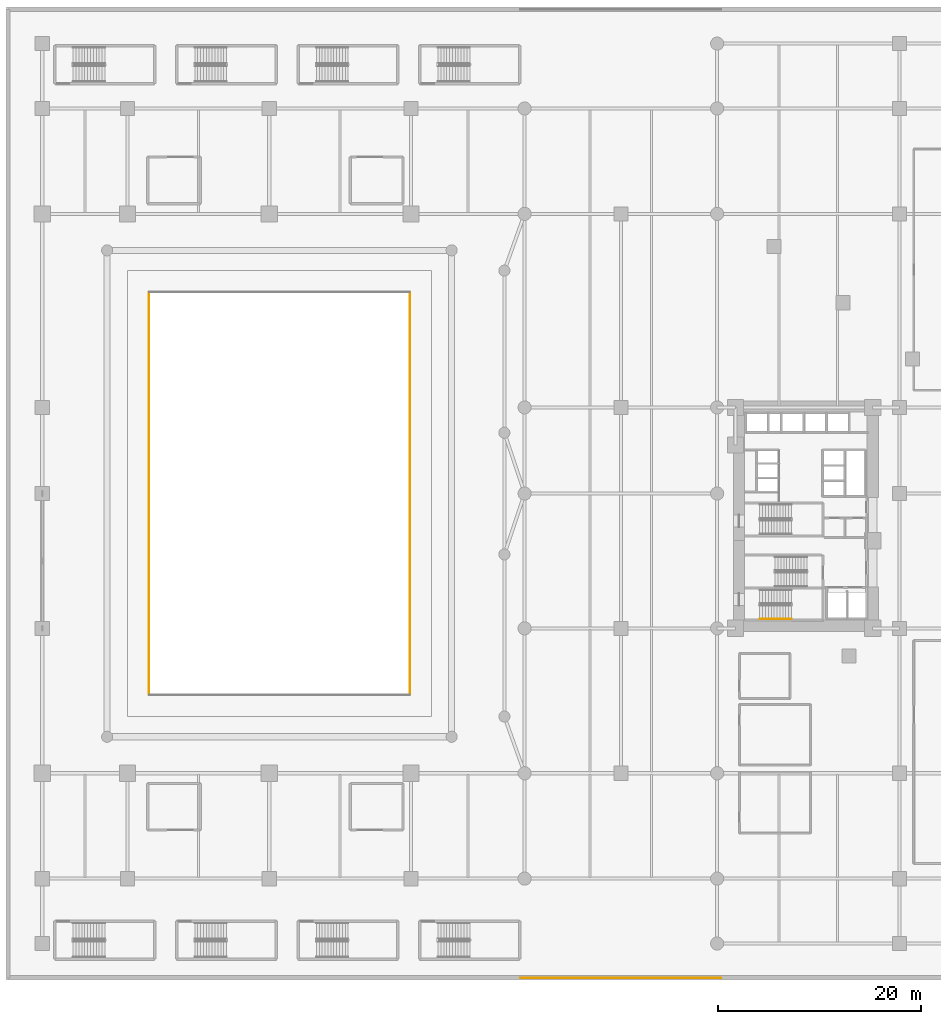
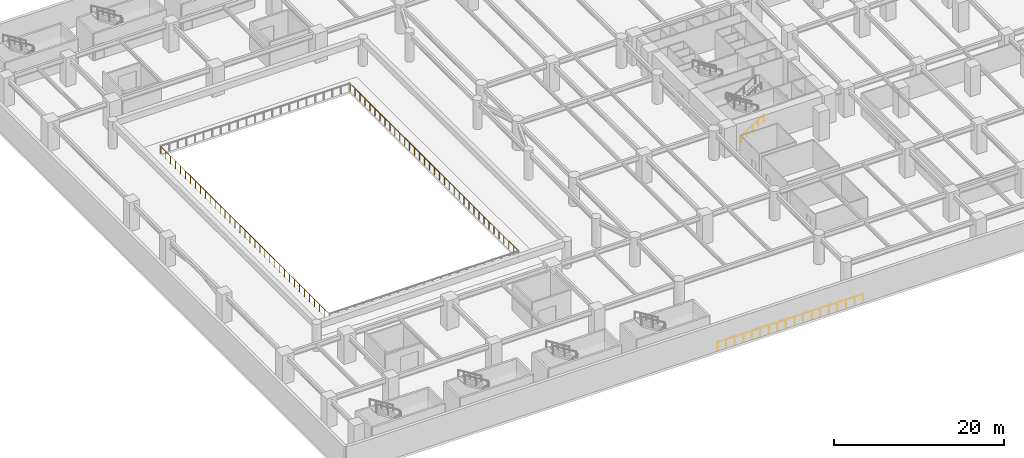
# One storey, part 21 of 25: 4 railings.
"""IFC4 building model written with IfcOpenShell, lengths in metres."""

from ifc_helpers import new_model, si_unit, direction, frame, origin, origin_2d, place, context, subcontext, project, spatial, circle, extrude, material, type_object, element, save


model = new_model("IFC4")

# Units and contexts
model_context = context("Model", 3, precision=1e-05, world=origin(), true_north=direction((0.0, 1.0)))
body_context = subcontext(model_context, "Body", "Model", "MODEL_VIEW")
ifc_project = project(units=[si_unit("LENGTHUNIT", "METRE"), si_unit("AREAUNIT", "SQUARE_METRE"), si_unit("VOLUMEUNIT", "CUBIC_METRE"), si_unit("PLANEANGLEUNIT", "RADIAN"), si_unit("MASSUNIT", "GRAM", prefix="KILO")], contexts=[model_context])

# Site, building, storey
site_placement = place(None, origin())
site = spatial("IfcSite", under=ifc_project, at=site_placement, CompositionType="ELEMENT")
building_placement = place(site_placement, origin())
building = spatial("IfcBuilding", under=site, at=building_placement, Name="Narakoshi Arena Tower", CompositionType="ELEMENT")
storey_placement = place(building_placement, frame((0.0, 0.0, 9.0)))
storey = spatial("IfcBuildingStorey", under=building, at=storey_placement, Name="L02", CompositionType="ELEMENT", Elevation=9.0)

# Railings
ifc_material_1 = material(Name="Clear low-iron laminated structural glass", Category="glass")
railing_type_1 = type_object("IfcRailingType", Name="RL-BAL-1100", PredefinedType="BALUSTRADE", material=ifc_material_1)
railing_1_placement = place(storey_placement, frame((39.8798828125, 28.159912109375, 0.0)))
element("IfcRailing", 1, at=railing_1_placement, inside=storey, type_object=railing_type_1, Name="L02 Arena Bowl Tier Balustrade 2", PredefinedType="BALUSTRADE", context=body_context, shape_type="SweptSolid", body=[
    extrude(circle(Radius=0.02392578125, at=origin_2d()), frame((0.0, 0.0, 1.09619140625), z_axis=(0.0, 1.0, 0.0), x_axis=(-1.0, 0.0, 0.0)), (0.0, 0.0, 1.0), 39.68017578125),
    extrude(circle(Radius=0.02099609375, at=origin_2d()), origin(), (0.0, 0.0, 1.0), 1.072021484375),
    extrude(circle(Radius=0.02099609375, at=origin_2d()), frame((0.0, 1.1669921875, 0.0)), (0.0, 0.0, 1.0), 1.072021484375),
    extrude(circle(Radius=0.02099609375, at=origin_2d()), frame((0.0, 2.334228515625, 0.0)), (0.0, 0.0, 1.0), 1.072021484375),
    extrude(circle(Radius=0.02099609375, at=origin_2d()), frame((0.0, 3.501220703125, 0.0)), (0.0, 0.0, 1.0), 1.072021484375),
    extrude(circle(Radius=0.02099609375, at=origin_2d()), frame((0.0, 4.668212890625, 0.0)), (0.0, 0.0, 1.0), 1.072021484375),
    extrude(circle(Radius=0.02099609375, at=origin_2d()), frame((0.0, 5.835205078125, 0.0)), (0.0, 0.0, 1.0), 1.072021484375),
    extrude(circle(Radius=0.02099609375, at=origin_2d()), frame((0.0, 7.00244140625, 0.0)), (0.0, 0.0, 1.0), 1.072021484375),
    extrude(circle(Radius=0.02099609375, at=origin_2d()), frame((0.0, 8.16943359375, 0.0)), (0.0, 0.0, 1.0), 1.072021484375),
    extrude(circle(Radius=0.02099609375, at=origin_2d()), frame((0.0, 9.33642578125, 0.0)), (0.0, 0.0, 1.0), 1.072021484375),
    extrude(circle(Radius=0.02099609375, at=origin_2d()), frame((0.0, 10.503662109375, 0.0)), (0.0, 0.0, 1.0), 1.072021484375),
    extrude(circle(Radius=0.02099609375, at=origin_2d()), frame((0.0, 11.670654296875, 0.0)), (0.0, 0.0, 1.0), 1.072021484375),
    extrude(circle(Radius=0.02099609375, at=origin_2d()), frame((0.0, 12.837646484375, 0.0)), (0.0, 0.0, 1.0), 1.072021484375),
    extrude(circle(Radius=0.02099609375, at=origin_2d()), frame((0.0, 14.0048828125, 0.0)), (0.0, 0.0, 1.0), 1.072021484375),
    extrude(circle(Radius=0.02099609375, at=origin_2d()), frame((0.0, 15.171875, 0.0)), (0.0, 0.0, 1.0), 1.072021484375),
    extrude(circle(Radius=0.02099609375, at=origin_2d()), frame((0.0, 16.3388671875, 0.0)), (0.0, 0.0, 1.0), 1.072021484375),
    extrude(circle(Radius=0.02099609375, at=origin_2d()), frame((0.0, 17.505859375, 0.0)), (0.0, 0.0, 1.0), 1.072021484375),
    extrude(circle(Radius=0.02099609375, at=origin_2d()), frame((0.0, 18.673095703125, 0.0)), (0.0, 0.0, 1.0), 1.072021484375),
    extrude(circle(Radius=0.02099609375, at=origin_2d()), frame((0.0, 19.840087890625, 0.0)), (0.0, 0.0, 1.0), 1.072021484375),
    extrude(circle(Radius=0.02099609375, at=origin_2d()), frame((0.0, 21.007080078125, 0.0)), (0.0, 0.0, 1.0), 1.072021484375),
    extrude(circle(Radius=0.02099609375, at=origin_2d()), frame((0.0, 22.17431640625, 0.0)), (0.0, 0.0, 1.0), 1.072021484375),
    extrude(circle(Radius=0.02099609375, at=origin_2d()), frame((0.0, 23.34130859375, 0.0)), (0.0, 0.0, 1.0), 1.072021484375),
    extrude(circle(Radius=0.02099609375, at=origin_2d()), frame((0.0, 24.50830078125, 0.0)), (0.0, 0.0, 1.0), 1.072021484375),
    extrude(circle(Radius=0.02099609375, at=origin_2d()), frame((0.0, 25.67529296875, 0.0)), (0.0, 0.0, 1.0), 1.072021484375),
    extrude(circle(Radius=0.02099609375, at=origin_2d()), frame((0.0, 26.842529296875, 0.0)), (0.0, 0.0, 1.0), 1.072021484375),
    extrude(circle(Radius=0.02099609375, at=origin_2d()), frame((0.0, 28.009521484375, 0.0)), (0.0, 0.0, 1.0), 1.072021484375),
    extrude(circle(Radius=0.02099609375, at=origin_2d()), frame((0.0, 29.176513671875, 0.0)), (0.0, 0.0, 1.0), 1.072021484375),
    extrude(circle(Radius=0.02099609375, at=origin_2d()), frame((0.0, 30.34375, 0.0)), (0.0, 0.0, 1.0), 1.072021484375),
    extrude(circle(Radius=0.02099609375, at=origin_2d()), frame((0.0, 31.5107421875, 0.0)), (0.0, 0.0, 1.0), 1.072021484375),
    extrude(circle(Radius=0.02099609375, at=origin_2d()), frame((0.0, 32.677734375, 0.0)), (0.0, 0.0, 1.0), 1.072021484375),
    extrude(circle(Radius=0.02099609375, at=origin_2d()), frame((0.0, 33.844970703125, 0.0)), (0.0, 0.0, 1.0), 1.072021484375),
    extrude(circle(Radius=0.02099609375, at=origin_2d()), frame((0.0, 35.011962890625, 0.0)), (0.0, 0.0, 1.0), 1.072021484375),
    extrude(circle(Radius=0.02099609375, at=origin_2d()), frame((0.0, 36.178955078125, 0.0)), (0.0, 0.0, 1.0), 1.072021484375),
    extrude(circle(Radius=0.02099609375, at=origin_2d()), frame((0.0, 37.345947265625, 0.0)), (0.0, 0.0, 1.0), 1.072021484375),
    extrude(circle(Radius=0.02099609375, at=origin_2d()), frame((0.0, 38.51318359375, 0.0)), (0.0, 0.0, 1.0), 1.072021484375),
    extrude(circle(Radius=0.02099609375, at=origin_2d()), frame((0.0, 39.68017578125, 0.0)), (0.0, 0.0, 1.0), 1.072021484375),
])
railing_2_placement = place(storey_placement, frame((14.1201171875, 67.840087890625, 0.0)))
element("IfcRailing", 2, at=railing_2_placement, inside=storey, type_object=railing_type_1, Name="L02 Arena Bowl Tier Balustrade 4", PredefinedType="BALUSTRADE", context=body_context, shape_type="SweptSolid", body=[
    extrude(circle(Radius=0.02392578125, at=origin_2d()), frame((0.0, 0.0, 1.09619140625), z_axis=(0.0, -1.0, 0.0), x_axis=(1.0, 0.0, 0.0)), (0.0, 0.0, 1.0), 39.68017578125),
    extrude(circle(Radius=0.02099609375, at=origin_2d()), origin(), (0.0, 0.0, 1.0), 1.072021484375),
    extrude(circle(Radius=0.02099609375, at=origin_2d()), frame((0.0, -1.1669921875, 0.0)), (0.0, 0.0, 1.0), 1.072021484375),
    extrude(circle(Radius=0.02099609375, at=origin_2d()), frame((0.0, -2.334228515625, 0.0)), (0.0, 0.0, 1.0), 1.072021484375),
    extrude(circle(Radius=0.02099609375, at=origin_2d()), frame((0.0, -3.501220703125, 0.0)), (0.0, 0.0, 1.0), 1.072021484375),
    extrude(circle(Radius=0.02099609375, at=origin_2d()), frame((0.0, -4.668212890625, 0.0)), (0.0, 0.0, 1.0), 1.072021484375),
    extrude(circle(Radius=0.02099609375, at=origin_2d()), frame((0.0, -5.835205078125, 0.0)), (0.0, 0.0, 1.0), 1.072021484375),
    extrude(circle(Radius=0.02099609375, at=origin_2d()), frame((0.0, -7.00244140625, 0.0)), (0.0, 0.0, 1.0), 1.072021484375),
    extrude(circle(Radius=0.02099609375, at=origin_2d()), frame((0.0, -8.16943359375, 0.0)), (0.0, 0.0, 1.0), 1.072021484375),
    extrude(circle(Radius=0.02099609375, at=origin_2d()), frame((0.0, -9.33642578125, 0.0)), (0.0, 0.0, 1.0), 1.072021484375),
    extrude(circle(Radius=0.02099609375, at=origin_2d()), frame((0.0, -10.503662109375, 0.0)), (0.0, 0.0, 1.0), 1.072021484375),
    extrude(circle(Radius=0.02099609375, at=origin_2d()), frame((0.0, -11.670654296875, 0.0)), (0.0, 0.0, 1.0), 1.072021484375),
    extrude(circle(Radius=0.02099609375, at=origin_2d()), frame((0.0, -12.837646484375, 0.0)), (0.0, 0.0, 1.0), 1.072021484375),
    extrude(circle(Radius=0.02099609375, at=origin_2d()), frame((0.0, -14.0048828125, 0.0)), (0.0, 0.0, 1.0), 1.072021484375),
    extrude(circle(Radius=0.02099609375, at=origin_2d()), frame((0.0, -15.171875, 0.0)), (0.0, 0.0, 1.0), 1.072021484375),
    extrude(circle(Radius=0.02099609375, at=origin_2d()), frame((0.0, -16.3388671875, 0.0)), (0.0, 0.0, 1.0), 1.072021484375),
    extrude(circle(Radius=0.02099609375, at=origin_2d()), frame((0.0, -17.505859375, 0.0)), (0.0, 0.0, 1.0), 1.072021484375),
    extrude(circle(Radius=0.02099609375, at=origin_2d()), frame((0.0, -18.673095703125, 0.0)), (0.0, 0.0, 1.0), 1.072021484375),
    extrude(circle(Radius=0.02099609375, at=origin_2d()), frame((0.0, -19.840087890625, 0.0)), (0.0, 0.0, 1.0), 1.072021484375),
    extrude(circle(Radius=0.02099609375, at=origin_2d()), frame((0.0, -21.007080078125, 0.0)), (0.0, 0.0, 1.0), 1.072021484375),
    extrude(circle(Radius=0.02099609375, at=origin_2d()), frame((0.0, -22.17431640625, 0.0)), (0.0, 0.0, 1.0), 1.072021484375),
    extrude(circle(Radius=0.02099609375, at=origin_2d()), frame((0.0, -23.34130859375, 0.0)), (0.0, 0.0, 1.0), 1.072021484375),
    extrude(circle(Radius=0.02099609375, at=origin_2d()), frame((0.0, -24.50830078125, 0.0)), (0.0, 0.0, 1.0), 1.072021484375),
    extrude(circle(Radius=0.02099609375, at=origin_2d()), frame((0.0, -25.67529296875, 0.0)), (0.0, 0.0, 1.0), 1.072021484375),
    extrude(circle(Radius=0.02099609375, at=origin_2d()), frame((0.0, -26.842529296875, 0.0)), (0.0, 0.0, 1.0), 1.072021484375),
    extrude(circle(Radius=0.02099609375, at=origin_2d()), frame((0.0, -28.009521484375, 0.0)), (0.0, 0.0, 1.0), 1.072021484375),
    extrude(circle(Radius=0.02099609375, at=origin_2d()), frame((0.0, -29.176513671875, 0.0)), (0.0, 0.0, 1.0), 1.072021484375),
    extrude(circle(Radius=0.02099609375, at=origin_2d()), frame((0.0, -30.34375, 0.0)), (0.0, 0.0, 1.0), 1.072021484375),
    extrude(circle(Radius=0.02099609375, at=origin_2d()), frame((0.0, -31.5107421875, 0.0)), (0.0, 0.0, 1.0), 1.072021484375),
    extrude(circle(Radius=0.02099609375, at=origin_2d()), frame((0.0, -32.677734375, 0.0)), (0.0, 0.0, 1.0), 1.072021484375),
    extrude(circle(Radius=0.02099609375, at=origin_2d()), frame((0.0, -33.844970703125, 0.0)), (0.0, 0.0, 1.0), 1.072021484375),
    extrude(circle(Radius=0.02099609375, at=origin_2d()), frame((0.0, -35.011962890625, 0.0)), (0.0, 0.0, 1.0), 1.072021484375),
    extrude(circle(Radius=0.02099609375, at=origin_2d()), frame((0.0, -36.178955078125, 0.0)), (0.0, 0.0, 1.0), 1.072021484375),
    extrude(circle(Radius=0.02099609375, at=origin_2d()), frame((0.0, -37.345947265625, 0.0)), (0.0, 0.0, 1.0), 1.072021484375),
    extrude(circle(Radius=0.02099609375, at=origin_2d()), frame((0.0, -38.51318359375, 0.0)), (0.0, 0.0, 1.0), 1.072021484375),
    extrude(circle(Radius=0.02099609375, at=origin_2d()), frame((0.0, -39.68017578125, 0.0)), (0.0, 0.0, 1.0), 1.072021484375),
])
ifc_material_2 = material(Name="Brushed bronze stainless steel", Category="steel")
railing_type_2 = type_object("IfcRailingType", Name="RL-GRD-1150", PredefinedType="GUARDRAIL", material=ifc_material_2)
railing_3_placement = place(storey_placement, frame((50.800048828125, 0.219970703125, 0.0)))
element("IfcRailing", 3, at=railing_3_placement, inside=storey, type_object=railing_type_2, Name="L02 Concourse Portal Sill Guardrail PS", PredefinedType="GUARDRAIL", context=body_context, shape_type="SweptSolid", body=[
    extrude(circle(Radius=0.02392578125, at=origin_2d()), frame((0.0, 0.0, 1.1259765625), z_axis=(1.0, 0.0, 0.0), x_axis=(0.0, 1.0, 0.0)), (0.0, 0.0, 1.0), 19.800048828125),
    extrude(circle(Radius=0.02099609375, at=origin_2d()), origin(), (0.0, 0.0, 1.0), 1.101806640625),
    extrude(circle(Radius=0.02099609375, at=origin_2d()), frame((1.164794921875, 0.0, 0.0)), (0.0, 0.0, 1.0), 1.101806640625),
    extrude(circle(Radius=0.02099609375, at=origin_2d()), frame((2.329345703125, 0.0, 0.0)), (0.0, 0.0, 1.0), 1.101806640625),
    extrude(circle(Radius=0.02099609375, at=origin_2d()), frame((3.494140625, 0.0, 0.0)), (0.0, 0.0, 1.0), 1.101806640625),
    extrude(circle(Radius=0.02099609375, at=origin_2d()), frame((4.658935546875, 0.0, 0.0)), (0.0, 0.0, 1.0), 1.101806640625),
    extrude(circle(Radius=0.02099609375, at=origin_2d()), frame((5.823486328125, 0.0, 0.0)), (0.0, 0.0, 1.0), 1.101806640625),
    extrude(circle(Radius=0.02099609375, at=origin_2d()), frame((6.98828125, 0.0, 0.0)), (0.0, 0.0, 1.0), 1.101806640625),
    extrude(circle(Radius=0.02099609375, at=origin_2d()), frame((8.153076171875, 0.0, 0.0)), (0.0, 0.0, 1.0), 1.101806640625),
    extrude(circle(Radius=0.02099609375, at=origin_2d()), frame((9.317626953125, 0.0, 0.0)), (0.0, 0.0, 1.0), 1.101806640625),
    extrude(circle(Radius=0.02099609375, at=origin_2d()), frame((10.482421875, 0.0, 0.0)), (0.0, 0.0, 1.0), 1.101806640625),
    extrude(circle(Radius=0.02099609375, at=origin_2d()), frame((11.64697265625, 0.0, 0.0)), (0.0, 0.0, 1.0), 1.101806640625),
    extrude(circle(Radius=0.02099609375, at=origin_2d()), frame((12.811767578125, 0.0, 0.0)), (0.0, 0.0, 1.0), 1.101806640625),
    extrude(circle(Radius=0.02099609375, at=origin_2d()), frame((13.9765625, 0.0, 0.0)), (0.0, 0.0, 1.0), 1.101806640625),
    extrude(circle(Radius=0.02099609375, at=origin_2d()), frame((15.14111328125, 0.0, 0.0)), (0.0, 0.0, 1.0), 1.101806640625),
    extrude(circle(Radius=0.02099609375, at=origin_2d()), frame((16.305908203125, 0.0, 0.0)), (0.0, 0.0, 1.0), 1.101806640625),
    extrude(circle(Radius=0.02099609375, at=origin_2d()), frame((17.470703125, 0.0, 0.0)), (0.0, 0.0, 1.0), 1.101806640625),
    extrude(circle(Radius=0.02099609375, at=origin_2d()), frame((18.63525390625, 0.0, 0.0)), (0.0, 0.0, 1.0), 1.101806640625),
    extrude(circle(Radius=0.02099609375, at=origin_2d()), frame((19.800048828125, 0.0, 0.0)), (0.0, 0.0, 1.0), 1.101806640625),
])
railing_type_3 = type_object("IfcRailingType", Name="RL-HND-900", PredefinedType="HANDRAIL", material=ifc_material_2)
railing_4_placement = place(storey_placement, frame((74.39990234375, 35.60009765625, 0.175048828125)))
element("IfcRailing", 4, at=railing_4_placement, inside=storey, type_object=railing_type_3, Name="L02 ST1 stair handrail 1", PredefinedType="HANDRAIL", context=body_context, shape_type="SweptSolid", body=[
    extrude(circle(Radius=0.02392578125, at=origin_2d()), frame((0.0, 0.0, 0.8759765625), z_axis=(0.852166034122, 0.0, 0.523271488128), x_axis=(0.0, 1.0, 0.0)), (0.0, 0.0, 1.0), 3.678955078125),
    extrude(circle(Radius=0.02099609375, at=origin_2d()), origin(), (0.0, 0.0, 1.0), 0.851806640625),
    extrude(circle(Radius=0.02099609375, at=origin_2d()), frame((0.78369140625, 0.0, 0.481201171875)), (0.0, 0.0, 1.0), 0.851806640625),
    extrude(circle(Radius=0.02099609375, at=origin_2d()), frame((1.5673828125, 0.0, 0.96240234375)), (0.0, 0.0, 1.0), 0.851806640625),
    extrude(circle(Radius=0.02099609375, at=origin_2d()), frame((2.351318359375, 0.0, 1.44384765625)), (0.0, 0.0, 1.0), 0.851806640625),
    extrude(circle(Radius=0.02099609375, at=origin_2d()), frame((3.135009765625, 0.0, 1.925048828125)), (0.0, 0.0, 1.0), 0.851806640625),
])

save(model, "model.ifc")
